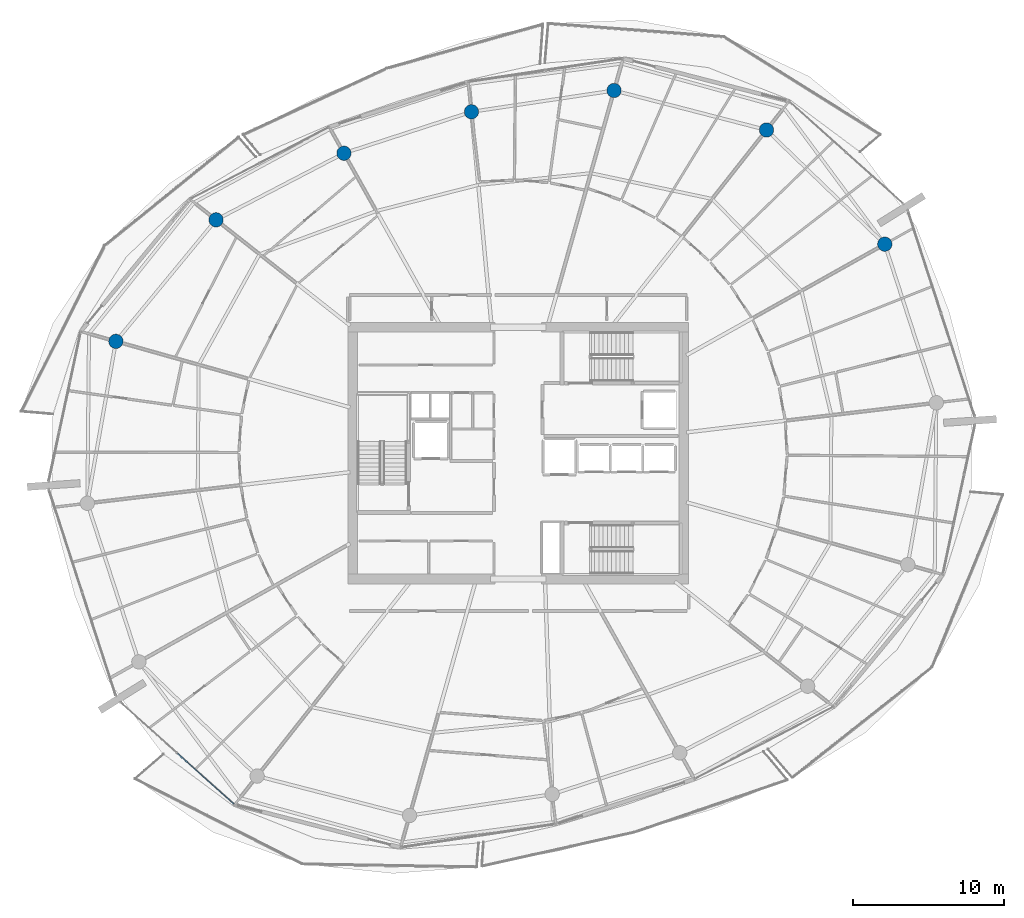
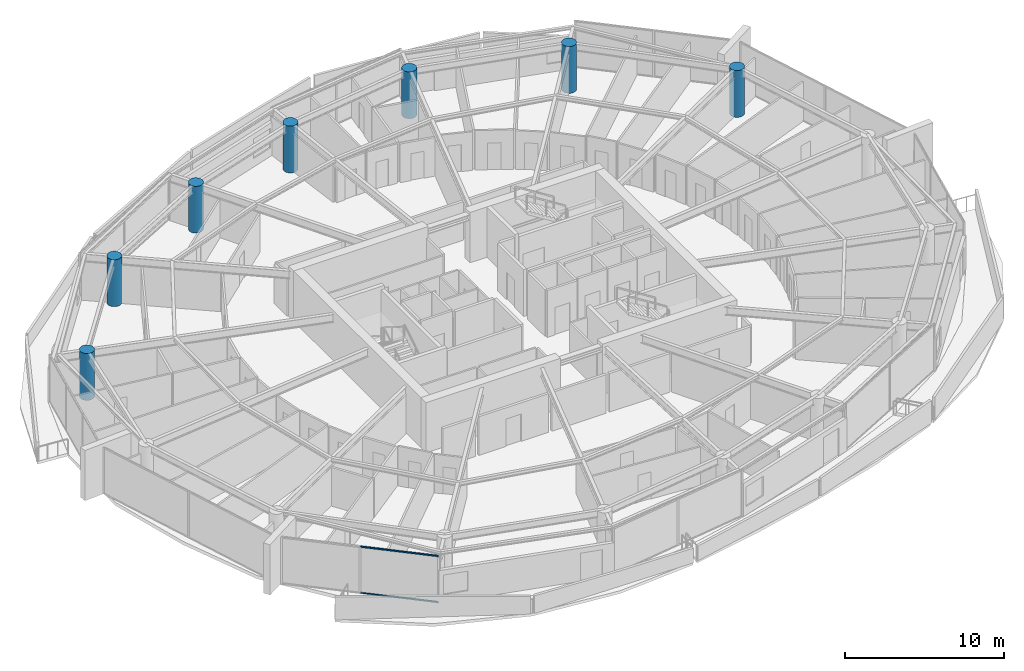
# One storey, part 4 of 29: 7 columns, 2 members, 1 element without a shape of its own.
"""IFC4 building model written with IfcOpenShell, lengths in metres."""

from ifc_helpers import new_model, si_unit, direction, frame, origin, origin_2d, place, context, subcontext, project, spatial, rectangle, circle, extrude, material, layer, layer_set, material_profile, profile_set, type_object, element, aggregate, save


model = new_model("IFC4")

# Units and contexts
model_context = context("Model", 3, precision=1e-05, world=origin(), true_north=direction((0.0, 1.0)))
body_context = subcontext(model_context, "Body", "Model", "MODEL_VIEW")
ifc_project = project(units=[si_unit("LENGTHUNIT", "METRE"), si_unit("AREAUNIT", "SQUARE_METRE"), si_unit("VOLUMEUNIT", "CUBIC_METRE"), si_unit("PLANEANGLEUNIT", "RADIAN"), si_unit("MASSUNIT", "GRAM", prefix="KILO")], contexts=[model_context])

# Site, building, storey
site_placement = place(None, origin())
site = spatial("IfcSite", under=ifc_project, at=site_placement, CompositionType="ELEMENT")
building_placement = place(site_placement, origin())
building = spatial("IfcBuilding", under=site, at=building_placement, Name="Kazma Halo Residences", CompositionType="ELEMENT")
storey_placement = place(building_placement, frame((0.0, 0.0, 252.10009765625)))
storey = spatial("IfcBuildingStorey", under=building, at=storey_placement, Name="L63", CompositionType="ELEMENT", Elevation=252.10009765625)

# Columns
ifc_material_1 = material(Name="Concrete C60/75", Category="concrete")
ifc_material_profile_1 = material_profile(ifc_material_1, circle(Radius=0.47509765625, at=origin_2d()), Name="CIRC950")
ifc_profile_set_1 = profile_set([ifc_material_profile_1], Name="Concrete C60/75")
column_type = type_object("IfcColumnType", Name="COL-PERIM-950", PredefinedType="COLUMN", material=ifc_profile_set_1)
for number, where, z_axis, x_axis, name in (
    (1, (72.67041015625, 55.81591796875, 0.0), (0.0, 0.0, 1.0), (1.0, 0.0, 0.0), "L63 perimeter ring column P01"),
    (2, (64.84716796875, 63.37060546875, 0.0), (0.0, 0.0, 1.0), (1.0, 0.0, 0.0), "L63 perimeter ring column P02"),
    (3, (54.762939453125, 65.9794921875, 0.0), (0.0, 0.0, 1.0), (1.0, 0.0, 0.0), "L63 perimeter ring column P03"),
    (4, (45.32861328125, 64.57080078125, 0.0), (0.0, 0.0, 1.0), (1.0, 0.0, 0.0), "L63 perimeter ring column P04"),
    (5, (36.89453125, 61.830322265625, 0.0), (0.0, 0.0, 1.0), (1.0, 0.0, 0.0), "L63 perimeter ring column P05"),
    (6, (28.433837890625, 57.4248046875, 0.0), (0.0, 0.0, 1.0), (1.0, 0.0, 0.0), "L63 perimeter ring column P06"),
    (7, (21.80908203125, 49.38671875, 0.0), (0.0, 0.0, 1.0), (1.0, 0.0, 0.0), "L63 perimeter ring column P07"),
):
    element("IfcColumn", number, at=place(storey_placement, frame(where, z_axis=z_axis, x_axis=x_axis)), inside=storey, type_object=column_type, Name=name, PredefinedType="COLUMN", context=body_context, shape_type="SweptSolid", body=[
        extrude(circle(Radius=0.47509765625, at=origin_2d()), origin(), (0.0, 0.0, 1.0), 3.58984375),
    ])

# Curtain wall, members
ifc_material_2 = material(Name="Aluminium AW-6063 T6 and Triple-Silver Low-E Glass", Category="aluminium")
ifc_layer = layer(ifc_material_2, 0.139892578125)
ifc_layer_set = layer_set([ifc_layer], Name="Aluminium AW-6063 T6 and Triple-Silver Low-E Glass")
curtain_wall_type = type_object("IfcCurtainWallType", Name="CW-SYS-5", PredefinedType="NOTDEFINED", material=ifc_layer_set)
curtain_wall_placement = place(storey_placement, origin())
curtain_wall = element("IfcCurtainWall", 8, at=curtain_wall_placement, inside=storey, type_object=curtain_wall_type, Name="L63 unitised curtain wall B09", PredefinedType="NOTDEFINED")
ifc_material_3 = material(Name="Aluminium AW-6063 T6", Category="aluminium")
ifc_material_profile_2 = material_profile(ifc_material_3, rectangle(XDim=0.06005859375, YDim=0.10498046875, at=origin_2d()), Name="CWT-60x105")
ifc_profile_set_2 = profile_set([ifc_material_profile_2], Name="Aluminium AW-6063 T6")
member_type = type_object("IfcMemberType", Name="CW-SYS-5-TRN", PredefinedType="USERDEFINED", material=ifc_profile_set_2)
member_1_placement = place(storey_placement, frame((25.900390625, 22.11328125, 0.02978515625), z_axis=(0.744350700793, -0.667788914425, 0.0), x_axis=(0.667788914425, 0.744350700793, 0.0)))
member_1 = element("IfcMember", 9, at=member_1_placement, type_object=member_type, Name="CWS-5 transom 2.1", ObjectType="TRANSOM", PredefinedType="USERDEFINED", context=body_context, shape_type="SweptSolid", body=[
    extrude(rectangle(XDim=0.06005859375, YDim=0.10498046875, at=origin_2d()), origin(), (0.0, 0.0, 1.0), 4.99365234375),
])
member_2_placement = place(storey_placement, frame((25.900390625, 22.11328125, 3.559814453125), z_axis=(0.744350700793, -0.667788914425, 0.0), x_axis=(0.667788914425, 0.744350700793, 0.0)))
member_2 = element("IfcMember", 10, at=member_2_placement, type_object=member_type, Name="CWS-5 transom 2.2", ObjectType="TRANSOM", PredefinedType="USERDEFINED", context=body_context, shape_type="SweptSolid", body=[
    extrude(rectangle(XDim=0.06005859375, YDim=0.10498046875, at=origin_2d()), origin(), (0.0, 0.0, 1.0), 4.99365234375),
])
aggregate(curtain_wall, [member_1, member_2])

save(model, "model.ifc")
